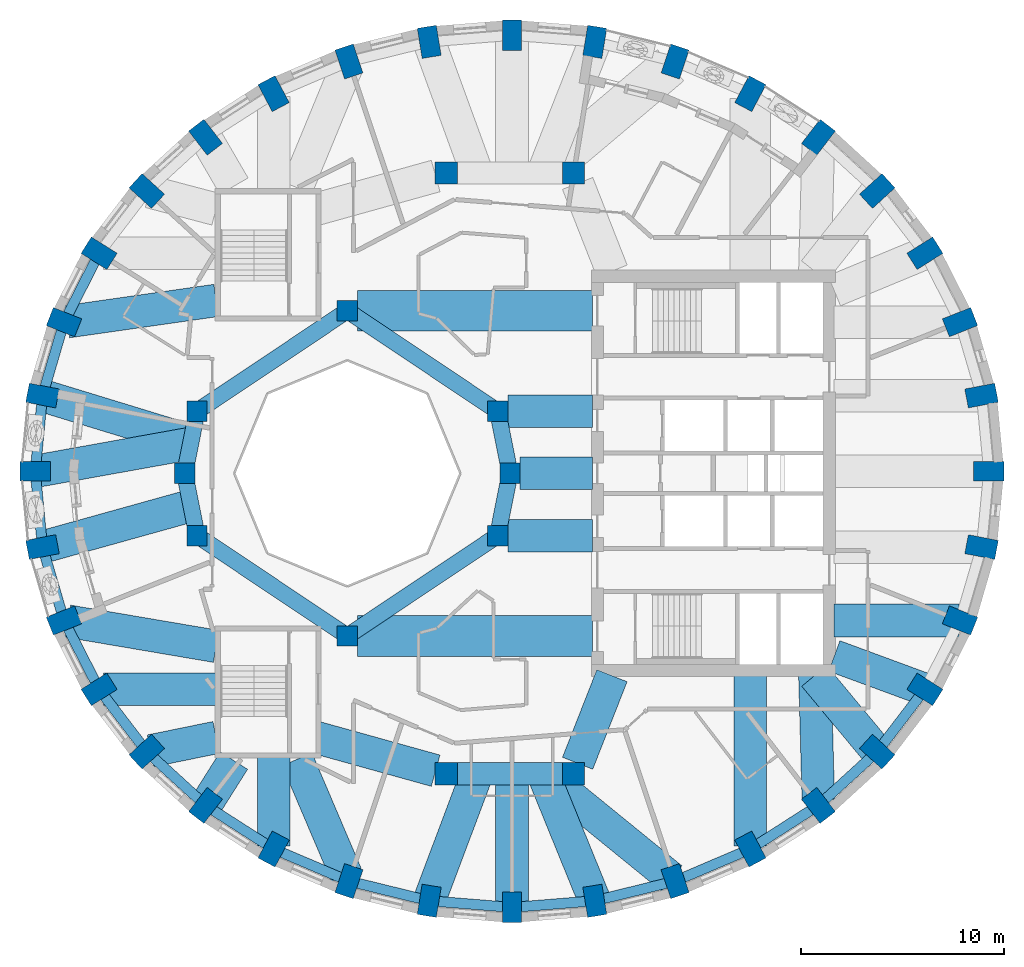
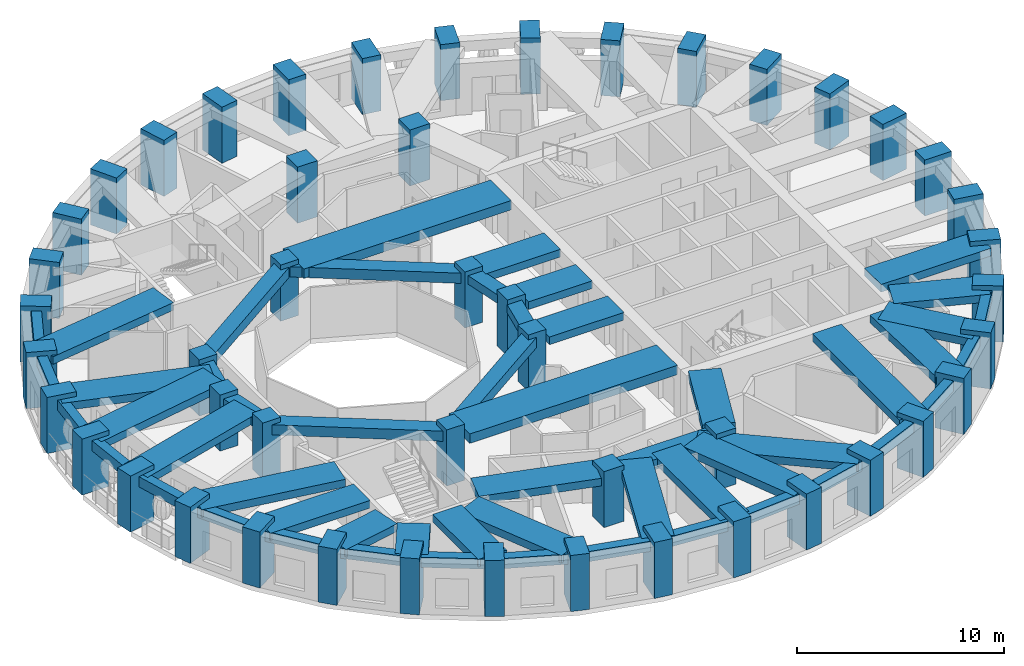
# One storey, part 1 of 12: 53 beams, 48 columns.
"""IFC4 building model written with IfcOpenShell, lengths in metres."""

from ifc_helpers import new_model, si_unit, direction, frame, origin, origin_2d, place, context, subcontext, project, spatial, rectangle, extrude, material, material_profile, profile_set, type_object, element, save


model = new_model("IFC4")

# Units and contexts
model_context = context("Model", 3, precision=1e-05, world=origin(), true_north=direction((0.0, 1.0)))
body_context = subcontext(model_context, "Body", "Model", "MODEL_VIEW")
ifc_project = project(units=[si_unit("LENGTHUNIT", "METRE"), si_unit("AREAUNIT", "SQUARE_METRE"), si_unit("VOLUMEUNIT", "CUBIC_METRE"), si_unit("PLANEANGLEUNIT", "RADIAN"), si_unit("MASSUNIT", "GRAM", prefix="KILO")], contexts=[model_context])

# Site, building, storey
site_placement = place(None, origin())
site = spatial("IfcSite", under=ifc_project, at=site_placement, CompositionType="ELEMENT")
building_placement = place(site_placement, origin())
building = spatial("IfcBuilding", under=site, at=building_placement, Name="Taillehof Tower", CompositionType="ELEMENT")
storey_placement = place(building_placement, frame((0.0, 0.0, 151.699951171875)))
storey = spatial("IfcBuildingStorey", under=building, at=storey_placement, Name="L42", CompositionType="ELEMENT", Elevation=151.699951171875)

# Columns
ifc_material_1 = material(Name="Concrete C50/60", Category="concrete")
ifc_material_profile_1 = material_profile(ifc_material_1, rectangle(XDim=1.0, YDim=1.0, at=origin_2d()), Name="RC 1000x1000")
ifc_profile_set_1 = profile_set([ifc_material_profile_1], Name="Concrete C50/60")
column_type_1 = type_object("IfcColumnType", Name="Atrium ring column C50/60 1000x1000", PredefinedType="COLUMN", material=ifc_profile_set_1)
for number, where, z_axis, x_axis, name in (
    (1, (0.0, 0.0, 0.0), (0.0, 0.0, 1.0), (1.0, 0.0, 0.0), "Column AC01"),
    (2, (-0.60888671875, 3.0615234375, 0.0), (0.0, 0.0, 1.0), (1.0, 0.0, 0.0), "Column AC02"),
    (3, (-8.0, 8.0, 0.0), (0.0, 0.0, 1.0), (1.0, 0.0, 0.0), "Column AC05"),
    (4, (-15.39111328125, 3.0615234375, 0.0), (0.0, 0.0, 1.0), (1.0, 0.0, 0.0), "Column AC08"),
    (5, (-16.0, 0.0, 0.0), (0.0, 0.0, 1.0), (1.0, 0.0, 0.0), "Column AC09"),
    (6, (-15.39111328125, -3.0615234375, 0.0), (0.0, 0.0, 1.0), (1.0, 0.0, 0.0), "Column AC10"),
    (7, (-8.0, -8.0, 0.0), (0.0, 0.0, 1.0), (1.0, 0.0, 0.0), "Column AC13"),
    (8, (-0.60888671875, -3.0615234375, 0.0), (0.0, 0.0, 1.0), (1.0, 0.0, 0.0), "Column AC16"),
):
    element("IfcColumn", number, at=place(storey_placement, frame(where, z_axis=z_axis, x_axis=x_axis)), inside=storey, type_object=column_type_1, Name=name, PredefinedType="COLUMN", context=body_context, shape_type="SweptSolid", body=[
        extrude(rectangle(XDim=1.0, YDim=1.0, at=origin_2d()), origin(), (0.0, 0.0, 1.0), 3.300048828125),
    ])
ifc_material_2 = material(Name="Concrete C50/60", Category="concrete")
ifc_material_profile_2 = material_profile(ifc_material_2, rectangle(XDim=1.10009765625, YDim=1.10009765625, at=origin_2d()), Name="RC 1100x1100")
ifc_profile_set_2 = profile_set([ifc_material_profile_2], Name="Concrete C50/60")
column_type_2 = type_object("IfcColumnType", Name="Mid-ring column C50/60 1100x1100", PredefinedType="COLUMN", material=ifc_profile_set_2)
for number, where, z_axis, x_axis, name in (
    (9, (3.125732421875, 14.772216796875, 0.0), (0.0, 0.0, 1.0), (1.0, 0.0, 0.0), "Column MC05"),
    (10, (-3.125732421875, 14.772216796875, 0.0), (0.0, 0.0, 1.0), (1.0, 0.0, 0.0), "Column MC06"),
    (11, (-3.125732421875, -14.772216796875, 0.0), (0.0, 0.0, 1.0), (1.0, 0.0, 0.0), "Column MC14"),
    (12, (3.125732421875, -14.772216796875, 0.0), (0.0, 0.0, 1.0), (1.0, 0.0, 0.0), "Column MC15"),
):
    element("IfcColumn", number, at=place(storey_placement, frame(where, z_axis=z_axis, x_axis=x_axis)), inside=storey, type_object=column_type_2, Name=name, PredefinedType="COLUMN", context=body_context, shape_type="SweptSolid", body=[
        extrude(rectangle(XDim=1.10009765625, YDim=1.10009765625, at=origin_2d()), origin(), (0.0, 0.0, 1.0), 3.300048828125),
    ])
ifc_material_3 = material(Name="Concrete C60/75", Category="concrete")
ifc_material_profile_3 = material_profile(ifc_material_3, rectangle(XDim=1.5, YDim=0.949951171875, at=origin_2d()), Name="RC 1500x950")
ifc_profile_set_3 = profile_set([ifc_material_profile_3], Name="Concrete C60/75")
column_type_3 = type_object("IfcColumnType", Name="Ring column C60/75 1500x950", PredefinedType="COLUMN", material=ifc_profile_set_3)
for number, where, z_axis, x_axis, name in (
    (13, (23.550048828125, 0.10009765625, 0.0), (0.0, 0.0, 1.0), (1.0, 0.0, 0.0), "Ring column RC01"),
    (14, (23.19384765625, 3.82470703125, 0.0), (0.0, 0.0, 1.0), (0.98202380309, 0.188757119508, 0.0), "Ring column RC02"),
    (15, (22.1357421875, 7.436279296875, 0.0), (0.0, 0.0, 1.0), (0.929511471762, 0.368793199317, 0.0), "Ring column RC03"),
    (16, (20.408203125, 10.824951171875, 0.0), (0.0, 0.0, 1.0), (0.846334224225, 0.532652213837, 0.0), "Ring column RC04"),
    (17, (18.063720703125, 13.8876953125, 0.0), (0.0, 0.0, 1.0), (0.7378786352, 0.674933418727, 0.0), "Ring column RC05"),
    (18, (15.17333984375, 16.53173828125, 0.0), (0.0, 0.0, 1.0), (0.609970500644, 0.792424121506, 0.0), "Ring column RC06"),
    (19, (11.824951171875, 18.67626953125, 0.0), (0.0, 0.0, 1.0), (0.468042101717, 0.883706167807, 0.0), "Ring column RC07"),
    (20, (8.120361328125, 20.25634765625, 0.0), (0.0, 0.0, 1.0), (0.316702950283, 0.948524771043, 0.0), "Ring column RC08"),
    (21, (4.172119140625, 21.22412109375, 0.0), (0.0, 0.0, 1.0), (0.159679090777, 0.987168976401, 0.0), "Ring column RC09"),
    (22, (0.10009765625, 21.550048828125, 0.0), (0.0, 0.0, 1.0), (0.0, 1.0, 0.0), "Ring column RC10"),
    (23, (-3.97216796875, 21.22412109375, 0.0), (0.0, 0.0, 1.0), (-0.159679090777, 0.987168976401, 0.0), "Ring column RC11"),
    (24, (-7.92041015625, 20.25634765625, 0.0), (0.0, 0.0, 1.0), (-0.316702950283, 0.948524771043, 0.0), "Ring column RC12"),
    (25, (-11.625, 18.67626953125, 0.0), (0.0, 0.0, 1.0), (-0.468042101717, 0.883706167807, 0.0), "Ring column RC13"),
    (26, (-14.973388671875, 16.53173828125, 0.0), (0.0, 0.0, 1.0), (-0.609970500644, 0.792424121506, 0.0), "Ring column RC14"),
    (27, (-17.86376953125, 13.8876953125, 0.0), (0.0, 0.0, 1.0), (-0.7378786352, 0.674933418727, 0.0), "Ring column RC15"),
    (28, (-20.208251953125, 10.824951171875, 0.0), (0.0, 0.0, 1.0), (-0.846334224225, 0.532652213837, 0.0), "Ring column RC16"),
    (29, (-21.935791015625, 7.436279296875, 0.0), (0.0, 0.0, 1.0), (-0.929511471762, 0.368793199317, 0.0), "Ring column RC17"),
    (30, (-22.99365234375, 3.82470703125, 0.0), (0.0, 0.0, 1.0), (-0.98202380309, 0.188757119508, 0.0), "Ring column RC18"),
    (31, (-23.35009765625, 0.10009765625, 0.0), (0.0, 0.0, 1.0), (-1.0, 0.0, 0.0), "Ring column RC19"),
    (32, (-22.99365234375, -3.624755859375, 0.0), (0.0, 0.0, 1.0), (-0.98202380309, -0.188757119508, 0.0), "Ring column RC20"),
    (33, (-21.935791015625, -7.236328125, 0.0), (0.0, 0.0, 1.0), (-0.929511471762, -0.368793199317, 0.0), "Ring column RC21"),
    (34, (-20.208251953125, -10.625, 0.0), (0.0, 0.0, 1.0), (-0.846334224225, -0.532652213837, 0.0), "Ring column RC22"),
    (35, (-17.86376953125, -13.687744140625, 0.0), (0.0, 0.0, 1.0), (-0.7378786352, -0.674933418727, 0.0), "Ring column RC23"),
    (36, (-14.973388671875, -16.33154296875, 0.0), (0.0, 0.0, 1.0), (-0.609970500644, -0.792424121506, 0.0), "Ring column RC24"),
    (37, (-11.625, -18.476318359375, 0.0), (0.0, 0.0, 1.0), (-0.468042101717, -0.883706167807, 0.0), "Ring column RC25"),
    (38, (-7.92041015625, -20.056396484375, 0.0), (0.0, 0.0, 1.0), (-0.316702950283, -0.948524771043, 0.0), "Ring column RC26"),
    (39, (-3.97216796875, -21.024169921875, 0.0), (0.0, 0.0, 1.0), (-0.159679090777, -0.987168976401, 0.0), "Ring column RC27"),
    (40, (0.10009765625, -21.35009765625, 0.0), (0.0, 0.0, 1.0), (0.0, -1.0, 0.0), "Ring column RC28"),
    (41, (4.172119140625, -21.024169921875, 0.0), (0.0, 0.0, 1.0), (0.159679090777, -0.987168976401, 0.0), "Ring column RC29"),
    (42, (8.120361328125, -20.056396484375, 0.0), (0.0, 0.0, 1.0), (0.316702950283, -0.948524771043, 0.0), "Ring column RC30"),
    (43, (11.824951171875, -18.476318359375, 0.0), (0.0, 0.0, 1.0), (0.468042101717, -0.883706167807, 0.0), "Ring column RC31"),
    (44, (15.17333984375, -16.33154296875, 0.0), (0.0, 0.0, 1.0), (0.609970500644, -0.792424121506, 0.0), "Ring column RC32"),
    (45, (18.063720703125, -13.687744140625, 0.0), (0.0, 0.0, 1.0), (0.7378786352, -0.674933418727, 0.0), "Ring column RC33"),
    (46, (20.408203125, -10.625, 0.0), (0.0, 0.0, 1.0), (0.846334224225, -0.532652213837, 0.0), "Ring column RC34"),
    (47, (22.1357421875, -7.236328125, 0.0), (0.0, 0.0, 1.0), (0.929511471762, -0.368793199317, 0.0), "Ring column RC35"),
    (48, (23.19384765625, -3.624755859375, 0.0), (0.0, 0.0, 1.0), (0.98202380309, -0.188757119508, 0.0), "Ring column RC36"),
):
    element("IfcColumn", number, at=place(storey_placement, frame(where, z_axis=z_axis, x_axis=x_axis)), inside=storey, type_object=column_type_3, Name=name, PredefinedType="COLUMN", context=body_context, shape_type="SweptSolid", body=[
        extrude(rectangle(XDim=1.5, YDim=0.949951171875, at=origin_2d()), origin(), (0.0, 0.0, 1.0), 3.300048828125),
    ])

# Beams
ifc_material_4 = material(Name="Concrete C50/60", Category="concrete")
ifc_material_profile_4 = material_profile(ifc_material_4, rectangle(XDim=0.800048828125, YDim=0.5, at=origin_2d()), Name="RC 800x500")
ifc_profile_set_4 = profile_set([ifc_material_profile_4], Name="Concrete C50/60")
beam_type_1 = type_object("IfcBeamType", Name="Atrium ring beam C50/60 800x500", PredefinedType="BEAM", material=ifc_profile_set_4)
for number, where, z_axis, x_axis, name in (
    (49, (0.0, 0.0, 2.77001953125), (-0.195063155143, 0.980790683839, 0.0), (-0.980790683839, -0.195063155143, 0.0), "Atrium ring beam AB01"),
    (50, (-15.39111328125, 3.0615234375, 2.77001953125), (-0.195063155143, -0.980790683839, 0.0), (0.980790683839, -0.195063155143, 0.0), "Atrium ring beam AB04"),
    (51, (-16.0, 0.0, 2.77001953125), (0.195063155143, -0.980790683839, 0.0), (0.980790683839, 0.195063155143, 0.0), "Atrium ring beam AB05"),
    (52, (-0.60888671875, -3.0615234375, 2.77001953125), (0.195063155143, 0.980790683839, 0.0), (-0.980790683839, 0.195063155143, 0.0), "Atrium ring beam AB08"),
):
    element("IfcBeam", number, at=place(storey_placement, frame(where, z_axis=z_axis, x_axis=x_axis)), inside=storey, type_object=beam_type_1, Name=name, PredefinedType="BEAM", context=body_context, shape_type="SweptSolid", body=[
        extrude(rectangle(XDim=0.800048828125, YDim=0.5, at=origin_2d()), origin(), (0.0, 0.0, 1.0), 3.12158203125),
    ])
ifc_material_5 = material(Name="Concrete C50/60", Category="concrete")
ifc_material_profile_5 = material_profile(ifc_material_5, rectangle(XDim=0.800048828125, YDim=0.60009765625, at=origin_2d()), Name="RC 800x600")
ifc_profile_set_5 = profile_set([ifc_material_profile_5], Name="Concrete C50/60")
beam_type_2 = type_object("IfcBeamType", Name="Atrium ring beam C50/60 800x600", PredefinedType="BEAM", material=ifc_profile_set_5)
for number, where, z_axis, x_axis, name in (
    (53, (-0.60888671875, 3.0615234375, 2.719970703125), (-0.831475195687, 0.555561876804, 0.0), (-0.555561876804, -0.831475195687, 0.0), "Atrium ring beam AB02"),
    (54, (-8.0, 8.0, 2.719970703125), (-0.831475195687, -0.555561876804, 0.0), (0.555561876804, -0.831475195687, 0.0), "Atrium ring beam AB03"),
    (55, (-15.39111328125, -3.0615234375, 2.719970703125), (0.831475195687, -0.555561876804, 0.0), (0.555561876804, 0.831475195687, 0.0), "Atrium ring beam AB06"),
    (56, (-8.0, -8.0, 2.719970703125), (0.831475195687, 0.555561876804, 0.0), (-0.555561876804, 0.831475195687, 0.0), "Atrium ring beam AB07"),
):
    element("IfcBeam", number, at=place(storey_placement, frame(where, z_axis=z_axis, x_axis=x_axis)), inside=storey, type_object=beam_type_2, Name=name, PredefinedType="BEAM", context=body_context, shape_type="SweptSolid", body=[
        extrude(rectangle(XDim=0.800048828125, YDim=0.60009765625, at=origin_2d()), origin(), (0.0, 0.0, 1.0), 8.88916015625),
    ])
ifc_material_6 = material(Name="Concrete C50/60", Category="concrete")
ifc_material_profile_6 = material_profile(ifc_material_6, rectangle(XDim=1.10009765625, YDim=0.60009765625, at=origin_2d()), Name="RC 1100x600")
ifc_profile_set_6 = profile_set([ifc_material_profile_6], Name="Concrete C50/60")
beam_type_3 = type_object("IfcBeamType", Name="Mid-ring beam C50/60 1100x600", PredefinedType="BEAM", material=ifc_profile_set_6)
beam_1_placement = place(storey_placement, frame((-3.125732421875, -14.772216796875, 2.719970703125), z_axis=(1.0, 0.0, 0.0), x_axis=(0.0, 1.0, 0.0)))
element("IfcBeam", 57, at=beam_1_placement, inside=storey, type_object=beam_type_3, Name="Mid-ring beam MB02", PredefinedType="BEAM", context=body_context, shape_type="SweptSolid", body=[
    extrude(rectangle(XDim=1.10009765625, YDim=0.60009765625, at=origin_2d()), origin(), (0.0, 0.0, 1.0), 6.25146484375),
])
ifc_material_7 = material(Name="Concrete C50/60", Category="concrete")
ifc_material_profile_7 = material_profile(ifc_material_7, rectangle(XDim=1.60009765625, YDim=0.449951171875, at=origin_2d()), Name="RC 1600x450")
ifc_profile_set_7 = profile_set([ifc_material_profile_7], Name="Concrete C50/60")
beam_type_4 = type_object("IfcBeamType", Name="Radial band beam C50/60 1600x450", PredefinedType="BEAM", material=ifc_profile_set_7)
beam_2_placement = place(storey_placement, frame((-21.766845703125, 7.46044921875, 2.795166015625), z_axis=(0.989922388732, 0.141610961042, 0.0), x_axis=(-0.141610961042, 0.989922388732, 0.0)))
element("IfcBeam", 58, at=beam_2_placement, inside=storey, type_object=beam_type_4, Name="Radial band beam RB17", PredefinedType="BEAM", context=body_context, shape_type="SweptSolid", body=[
    extrude(rectangle(XDim=1.60009765625, YDim=0.449951171875, at=origin_2d()), origin(), (0.0, 0.0, 1.0), 7.390869140625),
])
beam_3_placement = place(storey_placement, frame((-22.99365234375, 3.82470703125, 2.795166015625), z_axis=(0.956324293447, -0.292307792854, 0.0), x_axis=(0.292307792854, 0.956324293447, 0.0)))
element("IfcBeam", 59, at=beam_3_placement, inside=storey, type_object=beam_type_4, Name="Radial band beam RB18", PredefinedType="BEAM", context=body_context, shape_type="SweptSolid", body=[
    extrude(rectangle(XDim=1.60009765625, YDim=0.449951171875, at=origin_2d()), origin(), (0.0, 0.0, 1.0), 7.643798828125),
])
beam_4_placement = place(storey_placement, frame((-23.35009765625, 0.10009765625, 2.795166015625), z_axis=(0.984286763882, 0.176577366745, 0.0), x_axis=(-0.176577366745, 0.984286763882, 0.0)))
element("IfcBeam", 60, at=beam_4_placement, inside=storey, type_object=beam_type_4, Name="Radial band beam RB19", PredefinedType="BEAM", context=body_context, shape_type="SweptSolid", body=[
    extrude(rectangle(XDim=1.60009765625, YDim=0.449951171875, at=origin_2d()), origin(), (0.0, 0.0, 1.0), 7.764892578125),
])
beam_5_placement = place(storey_placement, frame((-22.99365234375, -3.624755859375, 2.795166015625), z_axis=(0.96338688135, 0.268115118639, 0.0), x_axis=(-0.268115118639, 0.96338688135, 0.0)))
element("IfcBeam", 61, at=beam_5_placement, inside=storey, type_object=beam_type_4, Name="Radial band beam RB20", PredefinedType="BEAM", context=body_context, shape_type="SweptSolid", body=[
    extrude(rectangle(XDim=1.60009765625, YDim=0.449951171875, at=origin_2d()), origin(), (0.0, 0.0, 1.0), 7.587890625),
])
beam_6_placement = place(storey_placement, frame((-21.744140625, -7.268798828125, 2.795166015625), z_axis=(0.985864460395, -0.167544817079, 0.0), x_axis=(0.167544817079, 0.985864460395, 0.0)))
element("IfcBeam", 62, at=beam_6_placement, inside=storey, type_object=beam_type_4, Name="Radial band beam RB21", PredefinedType="BEAM", context=body_context, shape_type="SweptSolid", body=[
    extrude(rectangle(XDim=1.60009765625, YDim=0.449951171875, at=origin_2d()), origin(), (0.0, 0.0, 1.0), 7.39794921875),
])
beam_7_placement = place(storey_placement, frame((-19.9990234375, -10.625, 2.795166015625), z_axis=(1.0, 0.0, 0.0), x_axis=(0.0, 1.0, 0.0)))
element("IfcBeam", 63, at=beam_7_placement, inside=storey, type_object=beam_type_4, Name="Radial band beam RB22", PredefinedType="BEAM", context=body_context, shape_type="SweptSolid", body=[
    extrude(rectangle(XDim=1.60009765625, YDim=0.449951171875, at=origin_2d()), origin(), (0.0, 0.0, 1.0), 5.549072265625),
])
beam_8_placement = place(storey_placement, frame((-17.678955078125, -13.64990234375, 2.795166015625), z_axis=(0.979736748385, 0.200289550059, 0.0), x_axis=(-0.200289550059, 0.979736748385, 0.0)))
element("IfcBeam", 64, at=beam_8_placement, inside=storey, type_object=beam_type_4, Name="Radial band beam RB23", PredefinedType="BEAM", context=body_context, shape_type="SweptSolid", body=[
    extrude(rectangle(XDim=1.60009765625, YDim=0.449951171875, at=origin_2d()), origin(), (0.0, 0.0, 1.0), 3.294677734375),
])
beam_9_placement = place(storey_placement, frame((-14.973388671875, -16.33154296875, 2.795166015625), z_axis=(0.534207803896, 0.845353193794, 0.0), x_axis=(-0.845353193794, 0.534207803896, 0.0)))
element("IfcBeam", 65, at=beam_9_placement, inside=storey, type_object=beam_type_4, Name="Radial band beam RB24", PredefinedType="BEAM", context=body_context, shape_type="SweptSolid", body=[
    extrude(rectangle(XDim=1.60009765625, YDim=0.449951171875, at=origin_2d()), origin(), (0.0, 0.0, 1.0), 2.608154296875),
])
beam_10_placement = place(storey_placement, frame((-11.625, -18.33642578125, 2.795166015625), z_axis=(0.0, 1.0, 0.0), x_axis=(-1.0, 0.0, 0.0)))
element("IfcBeam", 66, at=beam_10_placement, inside=storey, type_object=beam_type_4, Name="Radial band beam RB25", PredefinedType="BEAM", context=body_context, shape_type="SweptSolid", body=[
    extrude(rectangle(XDim=1.60009765625, YDim=0.449951171875, at=origin_2d()), origin(), (0.0, 0.0, 1.0), 4.386474609375),
])
beam_11_placement = place(storey_placement, frame((-8.049072265625, -19.75390625, 2.795166015625), z_axis=(-0.391879389257, 0.9200166, 0.0), x_axis=(-0.9200166, -0.391879389257, 0.0)))
element("IfcBeam", 67, at=beam_11_placement, inside=storey, type_object=beam_type_4, Name="Radial band beam RB26", PredefinedType="BEAM", context=body_context, shape_type="SweptSolid", body=[
    extrude(rectangle(XDim=1.60009765625, YDim=0.449951171875, at=origin_2d()), origin(), (0.0, 0.0, 1.0), 6.18505859375),
])
beam_12_placement = place(storey_placement, frame((-3.97216796875, -21.024169921875, 2.795166015625), z_axis=(0.351379850477, 0.936232984186, 0.0), x_axis=(-0.936232984186, 0.351379850477, 0.0)))
element("IfcBeam", 68, at=beam_12_placement, inside=storey, type_object=beam_type_4, Name="Radial band beam RB27", PredefinedType="BEAM", context=body_context, shape_type="SweptSolid", body=[
    extrude(rectangle(XDim=1.60009765625, YDim=0.449951171875, at=origin_2d()), origin(), (0.0, 0.0, 1.0), 6.677734375),
])
beam_13_placement = place(storey_placement, frame((0.10009765625, -21.35009765625, 2.795166015625), z_axis=(0.0, 1.0, 0.0), x_axis=(-1.0, 0.0, 0.0)))
element("IfcBeam", 69, at=beam_13_placement, inside=storey, type_object=beam_type_4, Name="Radial band beam RB28", PredefinedType="BEAM", context=body_context, shape_type="SweptSolid", body=[
    extrude(rectangle(XDim=1.60009765625, YDim=0.449951171875, at=origin_2d()), origin(), (0.0, 0.0, 1.0), 6.577880859375),
])
beam_14_placement = place(storey_placement, frame((4.172119140625, -21.024169921875, 2.795166015625), z_axis=(-0.377207279938, 0.926128861424, 0.0), x_axis=(-0.926128861424, -0.377207279938, 0.0)))
element("IfcBeam", 70, at=beam_14_placement, inside=storey, type_object=beam_type_4, Name="Radial band beam RB29", PredefinedType="BEAM", context=body_context, shape_type="SweptSolid", body=[
    extrude(rectangle(XDim=1.60009765625, YDim=0.449951171875, at=origin_2d()), origin(), (0.0, 0.0, 1.0), 6.750732421875),
])
beam_15_placement = place(storey_placement, frame((7.95556640625, -19.92236328125, 2.795166015625), z_axis=(-0.775687012842, 0.631117784655, 0.0), x_axis=(-0.631117784655, -0.775687012842, 0.0)))
element("IfcBeam", 71, at=beam_15_placement, inside=storey, type_object=beam_type_4, Name="Radial band beam RB30", PredefinedType="BEAM", context=body_context, shape_type="SweptSolid", body=[
    extrude(rectangle(XDim=1.60009765625, YDim=0.449951171875, at=origin_2d()), origin(), (0.0, 0.0, 1.0), 8.048583984375),
])
beam_16_placement = place(storey_placement, frame((11.824951171875, -18.33642578125, 2.795166015625), z_axis=(0.0, 1.0, 0.0), x_axis=(-1.0, 0.0, 0.0)))
element("IfcBeam", 72, at=beam_16_placement, inside=storey, type_object=beam_type_4, Name="Radial band beam RB31", PredefinedType="BEAM", context=body_context, shape_type="SweptSolid", body=[
    extrude(rectangle(XDim=1.60009765625, YDim=0.449951171875, at=origin_2d()), origin(), (0.0, 0.0, 1.0), 8.386474609375),
])
beam_17_placement = place(storey_placement, frame((15.166015625, -16.060546875, 2.795166015625), z_axis=(-0.027397917621, 0.999624606595, 0.0), x_axis=(-0.999624606595, -0.027397917621, 0.0)))
element("IfcBeam", 73, at=beam_17_placement, inside=storey, type_object=beam_type_4, Name="Radial band beam RB32", PredefinedType="BEAM", context=body_context, shape_type="SweptSolid", body=[
    extrude(rectangle(XDim=1.60009765625, YDim=0.449951171875, at=origin_2d()), origin(), (0.0, 0.0, 1.0), 6.11279296875),
])
beam_18_placement = place(storey_placement, frame((18.063720703125, -13.687744140625, 2.795166015625), z_axis=(-0.639018777093, 0.769191135234, 0.0), x_axis=(-0.769191135234, -0.639018777093, 0.0)))
element("IfcBeam", 74, at=beam_18_placement, inside=storey, type_object=beam_type_4, Name="Radial band beam RB33", PredefinedType="BEAM", context=body_context, shape_type="SweptSolid", body=[
    extrude(rectangle(XDim=1.60009765625, YDim=0.449951171875, at=origin_2d()), origin(), (0.0, 0.0, 1.0), 4.844482421875),
])
beam_19_placement = place(storey_placement, frame((20.408203125, -10.625, 2.795166015625), z_axis=(-0.938275503033, 0.345888826661, 0.0), x_axis=(-0.345888826661, -0.938275503033, 0.0)))
element("IfcBeam", 75, at=beam_19_placement, inside=storey, type_object=beam_type_4, Name="Radial band beam RB34", PredefinedType="BEAM", context=body_context, shape_type="SweptSolid", body=[
    extrude(rectangle(XDim=1.60009765625, YDim=0.449951171875, at=origin_2d()), origin(), (0.0, 0.0, 1.0), 4.748046875),
])
beam_20_placement = place(storey_placement, frame((22.08642578125, -7.236328125, 2.795166015625), z_axis=(-1.0, 0.0, 0.0), x_axis=(0.0, -1.0, 0.0)))
element("IfcBeam", 76, at=beam_20_placement, inside=storey, type_object=beam_type_4, Name="Radial band beam RB35", PredefinedType="BEAM", context=body_context, shape_type="SweptSolid", body=[
    extrude(rectangle(XDim=1.60009765625, YDim=0.449951171875, at=origin_2d()), origin(), (0.0, 0.0, 1.0), 6.136474609375),
])
beam_21_placement = place(storey_placement, frame((0.5, 0.0, 2.795166015625), z_axis=(1.0, 0.0, 0.0), x_axis=(0.0, 1.0, 0.0)))
element("IfcBeam", 77, at=beam_21_placement, inside=storey, type_object=beam_type_4, Name="Inner band beam IB101", PredefinedType="BEAM", context=body_context, shape_type="SweptSolid", body=[
    extrude(rectangle(XDim=1.60009765625, YDim=0.449951171875, at=origin_2d()), origin(), (0.0, 0.0, 1.0), 3.550048828125),
])
for number, where, z_axis, x_axis, name in (
    (78, (-0.10888671875, 3.0615234375, 2.795166015625), (1.0, 0.0, 0.0), (0.0, 1.0, 0.0), "Inner band beam IB102"),
    (79, (-0.10888671875, -3.0615234375, 2.795166015625), (1.0, 0.0, 0.0), (0.0, 1.0, 0.0), "Inner band beam IB116"),
):
    element("IfcBeam", number, at=place(storey_placement, frame(where, z_axis=z_axis, x_axis=x_axis)), inside=storey, type_object=beam_type_4, Name=name, PredefinedType="BEAM", context=body_context, shape_type="SweptSolid", body=[
        extrude(rectangle(XDim=1.60009765625, YDim=0.449951171875, at=origin_2d()), origin(), (0.0, 0.0, 1.0), 4.158935546875),
    ])
beam_22_placement = place(storey_placement, frame((-3.655517578125, -14.624755859375, 2.795166015625), z_axis=(-0.963459369536, 0.267854518821, 0.0), x_axis=(-0.267854518821, -0.963459369536, 0.0)))
element("IfcBeam", 80, at=beam_22_placement, inside=storey, type_object=beam_type_4, Name="Inner band beam IB214", PredefinedType="BEAM", context=body_context, shape_type="SweptSolid", body=[
    extrude(rectangle(XDim=1.60009765625, YDim=0.449951171875, at=origin_2d()), origin(), (0.0, 0.0, 1.0), 6.096923828125),
])
beam_23_placement = place(storey_placement, frame((3.32666015625, -14.26025390625, 2.795166015625), z_axis=(0.365588707223, 0.930776502255, 0.0), x_axis=(-0.930776502255, 0.365588707223, 0.0)))
element("IfcBeam", 81, at=beam_23_placement, inside=storey, type_object=beam_type_4, Name="Inner band beam IB215", PredefinedType="BEAM", context=body_context, shape_type="SweptSolid", body=[
    extrude(rectangle(XDim=1.60009765625, YDim=0.449951171875, at=origin_2d()), origin(), (0.0, 0.0, 1.0), 4.627197265625),
])
ifc_material_8 = material(Name="Concrete C50/60", Category="concrete")
ifc_material_profile_8 = material_profile(ifc_material_8, rectangle(XDim=2.0, YDim=0.550048828125, at=origin_2d()), Name="RC 2000x550")
ifc_profile_set_8 = profile_set([ifc_material_profile_8], Name="Concrete C50/60")
beam_type_5 = type_object("IfcBeamType", Name="Radial band beam C50/60 2000x550", PredefinedType="BEAM", material=ifc_profile_set_8)
for number, where, z_axis, x_axis, name in (
    (82, (-7.5, 8.0, 2.7451171875), (1.0, 0.0, 0.0), (0.0, 1.0, 0.0), "Inner band beam IB105"),
    (83, (-7.5, -8.0, 2.7451171875), (1.0, 0.0, 0.0), (0.0, 1.0, 0.0), "Inner band beam IB113"),
):
    element("IfcBeam", number, at=place(storey_placement, frame(where, z_axis=z_axis, x_axis=x_axis)), inside=storey, type_object=beam_type_5, Name=name, PredefinedType="BEAM", context=body_context, shape_type="SweptSolid", body=[
        extrude(rectangle(XDim=2.0, YDim=0.550048828125, at=origin_2d()), origin(), (0.0, 0.0, 1.0), 11.550048828125),
    ])
ifc_material_9 = material(Name="Concrete C50/60", Category="concrete")
ifc_material_profile_9 = material_profile(ifc_material_9, rectangle(XDim=0.5, YDim=0.60009765625, at=origin_2d()), Name="RC 500x600")
ifc_profile_set_9 = profile_set([ifc_material_profile_9], Name="Concrete C50/60")
beam_type_6 = type_object("IfcBeamType", Name="Spandrel beam C50/60 500x600", PredefinedType="SPANDREL", material=ifc_profile_set_9)
beam_24_placement = place(storey_placement, frame((-20.208251953125, 10.824951171875, 2.719970703125), z_axis=(-0.454183451696, -0.890908183937, 0.0), x_axis=(0.890908183937, -0.454183451696, 0.0)))
element("IfcBeam", 84, at=beam_24_placement, inside=storey, type_object=beam_type_6, Name="Spandrel beam SB16", PredefinedType="SPANDREL", context=body_context, shape_type="SweptSolid", body=[
    extrude(rectangle(XDim=0.5, YDim=0.60009765625, at=origin_2d()), origin(), (0.0, 0.0, 1.0), 3.8037109375),
])
beam_25_placement = place(storey_placement, frame((-21.935791015625, 7.436279296875, 2.719970703125), z_axis=(-0.281098416478, -0.959678946447, 0.0), x_axis=(0.959678946447, -0.281098416478, 0.0)))
element("IfcBeam", 85, at=beam_25_placement, inside=storey, type_object=beam_type_6, Name="Spandrel beam SB17", PredefinedType="SPANDREL", context=body_context, shape_type="SweptSolid", body=[
    extrude(rectangle(XDim=0.5, YDim=0.60009765625, at=origin_2d()), origin(), (0.0, 0.0, 1.0), 3.763427734375),
])
beam_26_placement = place(storey_placement, frame((-22.99365234375, 3.82470703125, 2.719970703125), z_axis=(-0.095264805358, -0.995451966124, 0.0), x_axis=(0.995451966124, -0.095264805358, 0.0)))
element("IfcBeam", 86, at=beam_26_placement, inside=storey, type_object=beam_type_6, Name="Spandrel beam SB18", PredefinedType="SPANDREL", context=body_context, shape_type="SweptSolid", body=[
    extrude(rectangle(XDim=0.5, YDim=0.60009765625, at=origin_2d()), origin(), (0.0, 0.0, 1.0), 3.74169921875),
])
beam_27_placement = place(storey_placement, frame((-23.35009765625, 0.10009765625, 2.719970703125), z_axis=(0.095258618013, -0.995452558234, 0.0), x_axis=(0.995452558234, 0.095258618013, 0.0)))
element("IfcBeam", 87, at=beam_27_placement, inside=storey, type_object=beam_type_6, Name="Spandrel beam SB19", PredefinedType="SPANDREL", context=body_context, shape_type="SweptSolid", body=[
    extrude(rectangle(XDim=0.5, YDim=0.60009765625, at=origin_2d()), origin(), (0.0, 0.0, 1.0), 3.741943359375),
])
beam_28_placement = place(storey_placement, frame((-22.99365234375, -3.624755859375, 2.719970703125), z_axis=(0.281098416478, -0.959678946447, 0.0), x_axis=(0.959678946447, 0.281098416478, 0.0)))
element("IfcBeam", 88, at=beam_28_placement, inside=storey, type_object=beam_type_6, Name="Spandrel beam SB20", PredefinedType="SPANDREL", context=body_context, shape_type="SweptSolid", body=[
    extrude(rectangle(XDim=0.5, YDim=0.60009765625, at=origin_2d()), origin(), (0.0, 0.0, 1.0), 3.763427734375),
])
beam_29_placement = place(storey_placement, frame((-21.935791015625, -7.236328125, 2.719970703125), z_axis=(0.454183451696, -0.890908183937, 0.0), x_axis=(0.890908183937, 0.454183451696, 0.0)))
element("IfcBeam", 89, at=beam_29_placement, inside=storey, type_object=beam_type_6, Name="Spandrel beam SB21", PredefinedType="SPANDREL", context=body_context, shape_type="SweptSolid", body=[
    extrude(rectangle(XDim=0.5, YDim=0.60009765625, at=origin_2d()), origin(), (0.0, 0.0, 1.0), 3.8037109375),
])
beam_30_placement = place(storey_placement, frame((-20.208251953125, -10.625, 2.719970703125), z_axis=(0.60784004271, -0.794059495553, 0.0), x_axis=(0.794059495553, 0.60784004271, 0.0)))
element("IfcBeam", 90, at=beam_30_placement, inside=storey, type_object=beam_type_6, Name="Spandrel beam SB22", PredefinedType="SPANDREL", context=body_context, shape_type="SweptSolid", body=[
    extrude(rectangle(XDim=0.5, YDim=0.60009765625, at=origin_2d()), origin(), (0.0, 0.0, 1.0), 3.857177734375),
])
beam_31_placement = place(storey_placement, frame((-17.86376953125, -13.687744140625, 2.719970703125), z_axis=(0.737880696592, -0.674931165081, 0.0), x_axis=(0.674931165081, 0.737880696592, 0.0)))
element("IfcBeam", 91, at=beam_31_placement, inside=storey, type_object=beam_type_6, Name="Spandrel beam SB23", PredefinedType="SPANDREL", context=body_context, shape_type="SweptSolid", body=[
    extrude(rectangle(XDim=0.5, YDim=0.60009765625, at=origin_2d()), origin(), (0.0, 0.0, 1.0), 3.917236328125),
])
beam_32_placement = place(storey_placement, frame((-14.973388671875, -16.33154296875, 2.719970703125), z_axis=(0.842065054946, -0.539375975771, 0.0), x_axis=(0.539375975771, 0.842065054946, 0.0)))
element("IfcBeam", 92, at=beam_32_placement, inside=storey, type_object=beam_type_6, Name="Spandrel beam SB24", PredefinedType="SPANDREL", context=body_context, shape_type="SweptSolid", body=[
    extrude(rectangle(XDim=0.5, YDim=0.60009765625, at=origin_2d()), origin(), (0.0, 0.0, 1.0), 3.976318359375),
])
beam_33_placement = place(storey_placement, frame((-11.625, -18.476318359375, 2.719970703125), z_axis=(0.919827173659, -0.392323808351, 0.0), x_axis=(0.392323808351, 0.919827173659, 0.0)))
element("IfcBeam", 93, at=beam_33_placement, inside=storey, type_object=beam_type_6, Name="Spandrel beam SB25", PredefinedType="SPANDREL", context=body_context, shape_type="SweptSolid", body=[
    extrude(rectangle(XDim=0.5, YDim=0.60009765625, at=origin_2d()), origin(), (0.0, 0.0, 1.0), 4.027587890625),
])
beam_34_placement = place(storey_placement, frame((-7.92041015625, -20.056396484375, 2.719970703125), z_axis=(0.971248584585, -0.238067610023, 0.0), x_axis=(0.238067610023, 0.971248584585, 0.0)))
element("IfcBeam", 94, at=beam_34_placement, inside=storey, type_object=beam_type_6, Name="Spandrel beam SB26", PredefinedType="SPANDREL", context=body_context, shape_type="SweptSolid", body=[
    extrude(rectangle(XDim=0.5, YDim=0.60009765625, at=origin_2d()), origin(), (0.0, 0.0, 1.0), 4.065185546875),
])
beam_35_placement = place(storey_placement, frame((-3.97216796875, -21.024169921875, 2.719970703125), z_axis=(0.996812427616, -0.079780850771, 0.0), x_axis=(0.079780850771, 0.996812427616, 0.0)))
element("IfcBeam", 95, at=beam_35_placement, inside=storey, type_object=beam_type_6, Name="Spandrel beam SB27", PredefinedType="SPANDREL", context=body_context, shape_type="SweptSolid", body=[
    extrude(rectangle(XDim=0.5, YDim=0.60009765625, at=origin_2d()), origin(), (0.0, 0.0, 1.0), 4.085205078125),
])
beam_36_placement = place(storey_placement, frame((0.10009765625, -21.35009765625, 2.719970703125), z_axis=(0.996812047205, 0.079785603634, 0.0), x_axis=(-0.079785603634, 0.996812047205, 0.0)))
element("IfcBeam", 96, at=beam_36_placement, inside=storey, type_object=beam_type_6, Name="Spandrel beam SB28", PredefinedType="SPANDREL", context=body_context, shape_type="SweptSolid", body=[
    extrude(rectangle(XDim=0.5, YDim=0.60009765625, at=origin_2d()), origin(), (0.0, 0.0, 1.0), 4.0849609375),
])
beam_37_placement = place(storey_placement, frame((4.172119140625, -21.024169921875, 2.719970703125), z_axis=(0.971248584585, 0.238067610023, 0.0), x_axis=(-0.238067610023, 0.971248584585, 0.0)))
element("IfcBeam", 97, at=beam_37_placement, inside=storey, type_object=beam_type_6, Name="Spandrel beam SB29", PredefinedType="SPANDREL", context=body_context, shape_type="SweptSolid", body=[
    extrude(rectangle(XDim=0.5, YDim=0.60009765625, at=origin_2d()), origin(), (0.0, 0.0, 1.0), 4.065185546875),
])
beam_38_placement = place(storey_placement, frame((8.120361328125, -20.056396484375, 2.719970703125), z_axis=(0.919827173659, 0.392323808351, 0.0), x_axis=(-0.392323808351, 0.919827173659, 0.0)))
element("IfcBeam", 98, at=beam_38_placement, inside=storey, type_object=beam_type_6, Name="Spandrel beam SB30", PredefinedType="SPANDREL", context=body_context, shape_type="SweptSolid", body=[
    extrude(rectangle(XDim=0.5, YDim=0.60009765625, at=origin_2d()), origin(), (0.0, 0.0, 1.0), 4.027587890625),
])
beam_39_placement = place(storey_placement, frame((11.824951171875, -18.476318359375, 2.719970703125), z_axis=(0.842065054946, 0.539375975771, 0.0), x_axis=(-0.539375975771, 0.842065054946, 0.0)))
element("IfcBeam", 99, at=beam_39_placement, inside=storey, type_object=beam_type_6, Name="Spandrel beam SB31", PredefinedType="SPANDREL", context=body_context, shape_type="SweptSolid", body=[
    extrude(rectangle(XDim=0.5, YDim=0.60009765625, at=origin_2d()), origin(), (0.0, 0.0, 1.0), 3.976318359375),
])
beam_40_placement = place(storey_placement, frame((15.17333984375, -16.33154296875, 2.719970703125), z_axis=(0.737880696592, 0.674931165081, 0.0), x_axis=(-0.674931165081, 0.737880696592, 0.0)))
element("IfcBeam", 100, at=beam_40_placement, inside=storey, type_object=beam_type_6, Name="Spandrel beam SB32", PredefinedType="SPANDREL", context=body_context, shape_type="SweptSolid", body=[
    extrude(rectangle(XDim=0.5, YDim=0.60009765625, at=origin_2d()), origin(), (0.0, 0.0, 1.0), 3.917236328125),
])
beam_41_placement = place(storey_placement, frame((18.063720703125, -13.687744140625, 2.719970703125), z_axis=(0.60784004271, 0.794059495553, 0.0), x_axis=(-0.794059495553, 0.60784004271, 0.0)))
element("IfcBeam", 101, at=beam_41_placement, inside=storey, type_object=beam_type_6, Name="Spandrel beam SB33", PredefinedType="SPANDREL", context=body_context, shape_type="SweptSolid", body=[
    extrude(rectangle(XDim=0.5, YDim=0.60009765625, at=origin_2d()), origin(), (0.0, 0.0, 1.0), 3.857177734375),
])

save(model, "model.ifc")
